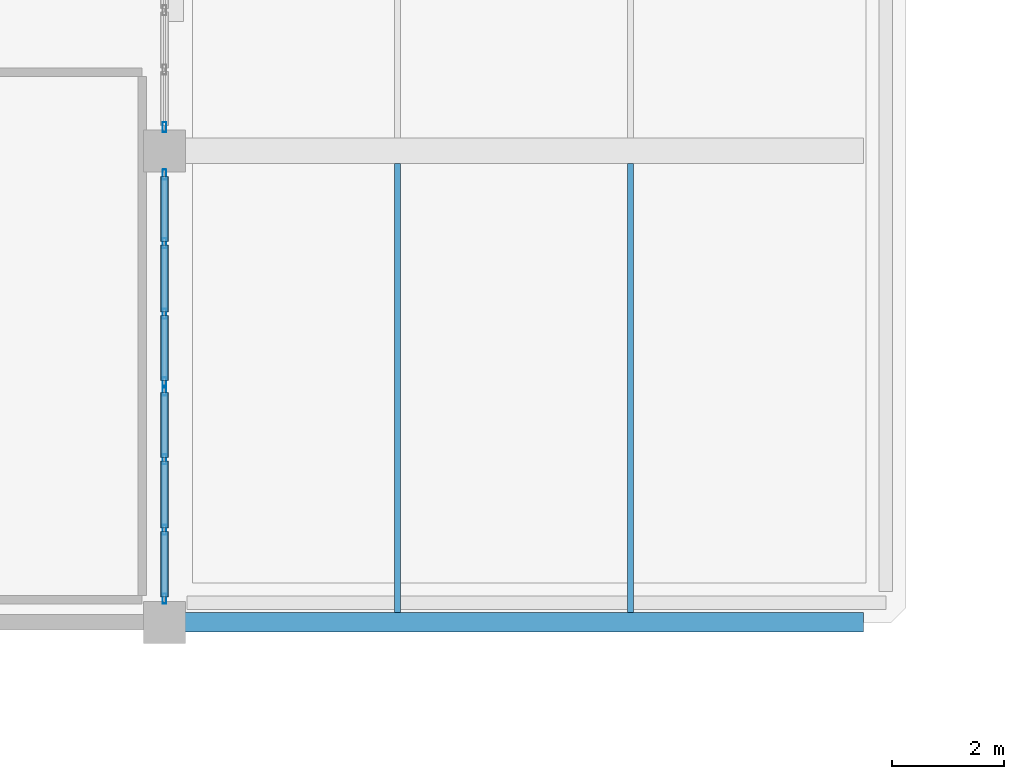
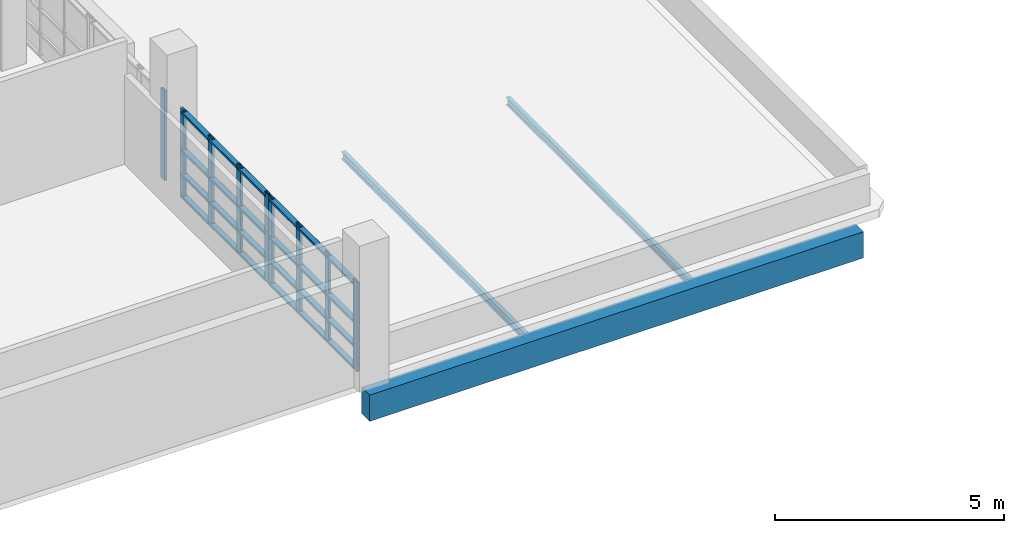
# One storey, part 122 of 188: 33 members, 3 beams, 3 elements without a shape of their own.
"""IFC4 building model written with IfcOpenShell, lengths in metres."""

from ifc_helpers import new_model, si_unit, direction, frame, origin, origin_2d, place, context, subcontext, project, spatial, rectangle, hollow_rectangle, i_section, extrude, material, layer, layer_set, material_profile, profile_set, type_object, element, aggregate, save


model = new_model("IFC4")

# Units and contexts
model_context = context("Model", 3, precision=1e-05, world=origin(), true_north=direction((0.0, 1.0)))
body_context = subcontext(model_context, "Body", "Model", "MODEL_VIEW")
ifc_project = project(units=[si_unit("LENGTHUNIT", "METRE"), si_unit("AREAUNIT", "SQUARE_METRE"), si_unit("VOLUMEUNIT", "CUBIC_METRE"), si_unit("PLANEANGLEUNIT", "RADIAN"), si_unit("MASSUNIT", "GRAM", prefix="KILO")], contexts=[model_context])

# Site, building, storey
site_placement = place(None, origin())
site = spatial("IfcSite", under=ifc_project, at=site_placement, CompositionType="ELEMENT")
building_placement = place(site_placement, origin())
building = spatial("IfcBuilding", under=site, at=building_placement, Name="Kisaragi Civic Commons", CompositionType="ELEMENT")
storey_placement = place(building_placement, frame((0.0, 0.0, 9.60009765625)))
storey = spatial("IfcBuildingStorey", under=building, at=storey_placement, Name="L02", CompositionType="ELEMENT", Elevation=9.60009765625)

# Curtain wall, member
ifc_material_1 = material(Name="Thermally broken anodized aluminium and low-E double glazing", Category="aluminium")
ifc_layer = layer(ifc_material_1, 0.179931640625, Name="Thermally broken anodized aluminium and low-E double glazing", Category="aluminium")
ifc_layer_set = layer_set([ifc_layer], Name="Thermally broken anodized aluminium and low-E double glazing")
curtain_wall_type = type_object("IfcCurtainWallType", Name="CW-01", PredefinedType="NOTDEFINED", material=ifc_layer_set)
curtain_wall_1_placement = place(storey_placement, origin())
curtain_wall_1 = element("IfcCurtainWall", 1, at=curtain_wall_1_placement, inside=storey, type_object=curtain_wall_type, Name="L02 curtain wall CW-01 CW-V4-L02-090", PredefinedType="NOTDEFINED")
ifc_material_profile_1 = material_profile(ifc_material_1, hollow_rectangle(XDim=0.06494140625, YDim=0.179931640625, WallThickness=0.00439453125, InnerFilletRadius=0.00439453125, OuterFilletRadius=0.009033203125, at=origin_2d()), Name="CWM-65x180x4.5", Category="aluminium")
ifc_profile_set_1 = profile_set([ifc_material_profile_1], Name="Thermally broken anodized aluminium and low-E double glazing")
member_type_1 = type_object("IfcMemberType", Name="CWM-02", PredefinedType="MULLION", material=ifc_profile_set_1)
member_1_placement = place(storey_placement, frame((146.39990234375, 104.822509765625, 0.0), z_axis=(0.0, 0.0, 1.0), x_axis=(1.0, 0.0, 0.0)))
member_1 = element("IfcMember", 2, at=member_1_placement, type_object=member_type_1, Name="CW-01 mullion 4", PredefinedType="MULLION", context=body_context, shape_type="SweptSolid", body=[
    extrude(hollow_rectangle(XDim=0.06494140625, YDim=0.179931640625, WallThickness=0.00439453125, InnerFilletRadius=0.00439453125, OuterFilletRadius=0.009033203125, at=origin_2d()), origin(), (0.0, 0.0, 1.0), 2.3798828125),
])
aggregate(curtain_wall_1, [member_1])

# Curtain wall, members
curtain_wall_2_placement = place(storey_placement, origin())
curtain_wall_2 = element("IfcCurtainWall", 3, at=curtain_wall_2_placement, inside=storey, type_object=curtain_wall_type, Name="L02 curtain wall CW-01 CW-V4-L02-091", PredefinedType="NOTDEFINED")
member_2_placement = place(storey_placement, frame((146.39990234375, 103.9775390625, 0.0), z_axis=(0.0, 0.0, 1.0), x_axis=(1.0, 0.0, 0.0)))
member_2 = element("IfcMember", 4, at=member_2_placement, type_object=member_type_1, Name="CW-01 mullion 1", PredefinedType="MULLION", context=body_context, shape_type="SweptSolid", body=[
    extrude(hollow_rectangle(XDim=0.06494140625, YDim=0.179931640625, WallThickness=0.00439453125, InnerFilletRadius=0.00439453125, OuterFilletRadius=0.009033203125, at=origin_2d()), origin(), (0.0, 0.0, 1.0), 2.3798828125),
])
member_3_placement = place(storey_placement, frame((146.39990234375, 102.75341796875, 0.0), z_axis=(0.0, 0.0, 1.0), x_axis=(1.0, 0.0, 0.0)))
member_3 = element("IfcMember", 5, at=member_3_placement, type_object=member_type_1, Name="CW-01 mullion 2", PredefinedType="MULLION", context=body_context, shape_type="SweptSolid", body=[
    extrude(hollow_rectangle(XDim=0.06494140625, YDim=0.179931640625, WallThickness=0.00439453125, InnerFilletRadius=0.00439453125, OuterFilletRadius=0.009033203125, at=origin_2d()), origin(), (0.0, 0.0, 1.0), 2.3798828125),
])
member_4_placement = place(storey_placement, frame((146.39990234375, 101.49658203125, 0.0), z_axis=(0.0, 0.0, 1.0), x_axis=(1.0, 0.0, 0.0)))
member_4 = element("IfcMember", 6, at=member_4_placement, type_object=member_type_1, Name="CW-01 mullion 3", PredefinedType="MULLION", context=body_context, shape_type="SweptSolid", body=[
    extrude(hollow_rectangle(XDim=0.06494140625, YDim=0.179931640625, WallThickness=0.00439453125, InnerFilletRadius=0.00439453125, OuterFilletRadius=0.009033203125, at=origin_2d()), origin(), (0.0, 0.0, 1.0), 2.3798828125),
])
member_5_placement = place(storey_placement, frame((146.39990234375, 100.2724609375, 0.0), z_axis=(0.0, 0.0, 1.0), x_axis=(1.0, 0.0, 0.0)))
member_5 = element("IfcMember", 7, at=member_5_placement, type_object=member_type_1, Name="CW-01 mullion 4", PredefinedType="MULLION", context=body_context, shape_type="SweptSolid", body=[
    extrude(hollow_rectangle(XDim=0.06494140625, YDim=0.179931640625, WallThickness=0.00439453125, InnerFilletRadius=0.00439453125, OuterFilletRadius=0.009033203125, at=origin_2d()), origin(), (0.0, 0.0, 1.0), 2.3798828125),
])

curtain_wall_3_placement = place(storey_placement, origin())
curtain_wall_3 = element("IfcCurtainWall", 8, at=curtain_wall_3_placement, inside=storey, type_object=curtain_wall_type, Name="L02 curtain wall CW-01 CW-V4-L02-092", PredefinedType="NOTDEFINED")
member_6_placement = place(storey_placement, frame((146.39990234375, 100.12744140625, 0.0), z_axis=(0.0, 0.0, 1.0), x_axis=(1.0, 0.0, 0.0)))
member_6 = element("IfcMember", 9, at=member_6_placement, type_object=member_type_1, Name="CW-01 mullion 1", PredefinedType="MULLION", context=body_context, shape_type="SweptSolid", body=[
    extrude(hollow_rectangle(XDim=0.06494140625, YDim=0.179931640625, WallThickness=0.00439453125, InnerFilletRadius=0.00439453125, OuterFilletRadius=0.009033203125, at=origin_2d()), origin(), (0.0, 0.0, 1.0), 2.3798828125),
])
member_7_placement = place(storey_placement, frame((146.39990234375, 98.9033203125, 0.0), z_axis=(0.0, 0.0, 1.0), x_axis=(1.0, 0.0, 0.0)))
member_7 = element("IfcMember", 10, at=member_7_placement, type_object=member_type_1, Name="CW-01 mullion 2", PredefinedType="MULLION", context=body_context, shape_type="SweptSolid", body=[
    extrude(hollow_rectangle(XDim=0.06494140625, YDim=0.179931640625, WallThickness=0.00439453125, InnerFilletRadius=0.00439453125, OuterFilletRadius=0.009033203125, at=origin_2d()), origin(), (0.0, 0.0, 1.0), 2.3798828125),
])
member_8_placement = place(storey_placement, frame((146.39990234375, 97.646728515625, 0.0), z_axis=(0.0, 0.0, 1.0), x_axis=(1.0, 0.0, 0.0)))
member_8 = element("IfcMember", 11, at=member_8_placement, type_object=member_type_1, Name="CW-01 mullion 3", PredefinedType="MULLION", context=body_context, shape_type="SweptSolid", body=[
    extrude(hollow_rectangle(XDim=0.06494140625, YDim=0.179931640625, WallThickness=0.00439453125, InnerFilletRadius=0.00439453125, OuterFilletRadius=0.009033203125, at=origin_2d()), origin(), (0.0, 0.0, 1.0), 2.3798828125),
])
member_9_placement = place(storey_placement, frame((146.39990234375, 96.422607421875, 0.0), z_axis=(0.0, 0.0, 1.0), x_axis=(1.0, 0.0, 0.0)))
member_9 = element("IfcMember", 12, at=member_9_placement, type_object=member_type_1, Name="CW-01 mullion 4", PredefinedType="MULLION", context=body_context, shape_type="SweptSolid", body=[
    extrude(hollow_rectangle(XDim=0.06494140625, YDim=0.179931640625, WallThickness=0.00439453125, InnerFilletRadius=0.00439453125, OuterFilletRadius=0.009033203125, at=origin_2d()), origin(), (0.0, 0.0, 1.0), 2.3798828125),
])

# Member
ifc_material_profile_2 = material_profile(ifc_material_1, hollow_rectangle(XDim=0.139892578125, YDim=0.06494140625, WallThickness=0.00439453125, InnerFilletRadius=0.00439453125, OuterFilletRadius=0.009033203125, at=origin_2d()), Name="CWT-65x140x4.5", Category="aluminium")
ifc_profile_set_2 = profile_set([ifc_material_profile_2], Name="Thermally broken anodized aluminium and low-E double glazing")
member_type_2 = type_object("IfcMemberType", Name="CWT-02", PredefinedType="USERDEFINED", material=ifc_profile_set_2)
member_10_placement = place(storey_placement, frame((146.39990234375, 103.945068359375, 0.06982421875), z_axis=(0.0, -1.0, 0.0), x_axis=(1.0, 0.0, 0.0)))
member_10 = element("IfcMember", 13, at=member_10_placement, type_object=member_type_2, Name="CW-01 transom 1.1", ObjectType="TRANSOM", PredefinedType="USERDEFINED", context=body_context, shape_type="SweptSolid", body=[
    extrude(hollow_rectangle(XDim=0.139892578125, YDim=0.06494140625, WallThickness=0.00439453125, InnerFilletRadius=0.00439453125, OuterFilletRadius=0.009033203125, at=origin_2d()), origin(), (0.0, 0.0, 1.0), 1.1591796875),
])

member_11_placement = place(storey_placement, frame((146.39990234375, 103.945068359375, 0.64990234375), z_axis=(0.0, -1.0, 0.0), x_axis=(1.0, 0.0, 0.0)))
member_11 = element("IfcMember", 14, at=member_11_placement, type_object=member_type_2, Name="CW-01 transom 1.2", ObjectType="TRANSOM", PredefinedType="USERDEFINED", context=body_context, shape_type="SweptSolid", body=[
    extrude(hollow_rectangle(XDim=0.139892578125, YDim=0.06494140625, WallThickness=0.00439453125, InnerFilletRadius=0.00439453125, OuterFilletRadius=0.009033203125, at=origin_2d()), origin(), (0.0, 0.0, 1.0), 1.1591796875),
])

member_12_placement = place(storey_placement, frame((146.39990234375, 103.945068359375, 1.2998046875), z_axis=(0.0, -1.0, 0.0), x_axis=(1.0, 0.0, 0.0)))
member_12 = element("IfcMember", 15, at=member_12_placement, type_object=member_type_2, Name="CW-01 transom 1.3", ObjectType="TRANSOM", PredefinedType="USERDEFINED", context=body_context, shape_type="SweptSolid", body=[
    extrude(hollow_rectangle(XDim=0.139892578125, YDim=0.06494140625, WallThickness=0.00439453125, InnerFilletRadius=0.00439453125, OuterFilletRadius=0.009033203125, at=origin_2d()), origin(), (0.0, 0.0, 1.0), 1.1591796875),
])

member_13_placement = place(storey_placement, frame((146.39990234375, 103.945068359375, 2.309814453125), z_axis=(0.0, -1.0, 0.0), x_axis=(1.0, 0.0, 0.0)))
member_13 = element("IfcMember", 16, at=member_13_placement, type_object=member_type_2, Name="CW-01 transom 1.4", ObjectType="TRANSOM", PredefinedType="USERDEFINED", context=body_context, shape_type="SweptSolid", body=[
    extrude(hollow_rectangle(XDim=0.139892578125, YDim=0.06494140625, WallThickness=0.00439453125, InnerFilletRadius=0.00439453125, OuterFilletRadius=0.009033203125, at=origin_2d()), origin(), (0.0, 0.0, 1.0), 1.1591796875),
])

member_14_placement = place(storey_placement, frame((146.39990234375, 102.720947265625, 0.06982421875), z_axis=(0.0, -1.0, 0.0), x_axis=(1.0, 0.0, 0.0)))
member_14 = element("IfcMember", 17, at=member_14_placement, type_object=member_type_2, Name="CW-01 transom 2.1", ObjectType="TRANSOM", PredefinedType="USERDEFINED", context=body_context, shape_type="SweptSolid", body=[
    extrude(hollow_rectangle(XDim=0.139892578125, YDim=0.06494140625, WallThickness=0.00439453125, InnerFilletRadius=0.00439453125, OuterFilletRadius=0.009033203125, at=origin_2d()), origin(), (0.0, 0.0, 1.0), 1.19189453125),
])

member_15_placement = place(storey_placement, frame((146.39990234375, 102.720947265625, 0.64990234375), z_axis=(0.0, -1.0, 0.0), x_axis=(1.0, 0.0, 0.0)))
member_15 = element("IfcMember", 18, at=member_15_placement, type_object=member_type_2, Name="CW-01 transom 2.2", ObjectType="TRANSOM", PredefinedType="USERDEFINED", context=body_context, shape_type="SweptSolid", body=[
    extrude(hollow_rectangle(XDim=0.139892578125, YDim=0.06494140625, WallThickness=0.00439453125, InnerFilletRadius=0.00439453125, OuterFilletRadius=0.009033203125, at=origin_2d()), origin(), (0.0, 0.0, 1.0), 1.19189453125),
])

member_16_placement = place(storey_placement, frame((146.39990234375, 102.720947265625, 1.2998046875), z_axis=(0.0, -1.0, 0.0), x_axis=(1.0, 0.0, 0.0)))
member_16 = element("IfcMember", 19, at=member_16_placement, type_object=member_type_2, Name="CW-01 transom 2.3", ObjectType="TRANSOM", PredefinedType="USERDEFINED", context=body_context, shape_type="SweptSolid", body=[
    extrude(hollow_rectangle(XDim=0.139892578125, YDim=0.06494140625, WallThickness=0.00439453125, InnerFilletRadius=0.00439453125, OuterFilletRadius=0.009033203125, at=origin_2d()), origin(), (0.0, 0.0, 1.0), 1.19189453125),
])

member_17_placement = place(storey_placement, frame((146.39990234375, 102.720947265625, 2.309814453125), z_axis=(0.0, -1.0, 0.0), x_axis=(1.0, 0.0, 0.0)))
member_17 = element("IfcMember", 20, at=member_17_placement, type_object=member_type_2, Name="CW-01 transom 2.4", ObjectType="TRANSOM", PredefinedType="USERDEFINED", context=body_context, shape_type="SweptSolid", body=[
    extrude(hollow_rectangle(XDim=0.139892578125, YDim=0.06494140625, WallThickness=0.00439453125, InnerFilletRadius=0.00439453125, OuterFilletRadius=0.009033203125, at=origin_2d()), origin(), (0.0, 0.0, 1.0), 1.19189453125),
])

member_18_placement = place(storey_placement, frame((146.39990234375, 101.464111328125, 0.06982421875), z_axis=(0.0, -1.0, 0.0), x_axis=(1.0, 0.0, 0.0)))
member_18 = element("IfcMember", 21, at=member_18_placement, type_object=member_type_2, Name="CW-01 transom 3.1", ObjectType="TRANSOM", PredefinedType="USERDEFINED", context=body_context, shape_type="SweptSolid", body=[
    extrude(hollow_rectangle(XDim=0.139892578125, YDim=0.06494140625, WallThickness=0.00439453125, InnerFilletRadius=0.00439453125, OuterFilletRadius=0.009033203125, at=origin_2d()), origin(), (0.0, 0.0, 1.0), 1.1591796875),
])

member_19_placement = place(storey_placement, frame((146.39990234375, 101.464111328125, 0.64990234375), z_axis=(0.0, -1.0, 0.0), x_axis=(1.0, 0.0, 0.0)))
member_19 = element("IfcMember", 22, at=member_19_placement, type_object=member_type_2, Name="CW-01 transom 3.2", ObjectType="TRANSOM", PredefinedType="USERDEFINED", context=body_context, shape_type="SweptSolid", body=[
    extrude(hollow_rectangle(XDim=0.139892578125, YDim=0.06494140625, WallThickness=0.00439453125, InnerFilletRadius=0.00439453125, OuterFilletRadius=0.009033203125, at=origin_2d()), origin(), (0.0, 0.0, 1.0), 1.1591796875),
])

member_20_placement = place(storey_placement, frame((146.39990234375, 101.464111328125, 1.2998046875), z_axis=(0.0, -1.0, 0.0), x_axis=(1.0, 0.0, 0.0)))
member_20 = element("IfcMember", 23, at=member_20_placement, type_object=member_type_2, Name="CW-01 transom 3.3", ObjectType="TRANSOM", PredefinedType="USERDEFINED", context=body_context, shape_type="SweptSolid", body=[
    extrude(hollow_rectangle(XDim=0.139892578125, YDim=0.06494140625, WallThickness=0.00439453125, InnerFilletRadius=0.00439453125, OuterFilletRadius=0.009033203125, at=origin_2d()), origin(), (0.0, 0.0, 1.0), 1.1591796875),
])

member_21_placement = place(storey_placement, frame((146.39990234375, 101.464111328125, 2.309814453125), z_axis=(0.0, -1.0, 0.0), x_axis=(1.0, 0.0, 0.0)))
member_21 = element("IfcMember", 24, at=member_21_placement, type_object=member_type_2, Name="CW-01 transom 3.4", ObjectType="TRANSOM", PredefinedType="USERDEFINED", context=body_context, shape_type="SweptSolid", body=[
    extrude(hollow_rectangle(XDim=0.139892578125, YDim=0.06494140625, WallThickness=0.00439453125, InnerFilletRadius=0.00439453125, OuterFilletRadius=0.009033203125, at=origin_2d()), origin(), (0.0, 0.0, 1.0), 1.1591796875),
])

aggregate(curtain_wall_2, [member_2, member_3, member_4, member_5, member_10, member_11, member_12, member_13, member_14, member_15, member_16, member_17, member_18, member_19, member_20, member_21])

member_22_placement = place(storey_placement, frame((146.39990234375, 100.094970703125, 0.06982421875), z_axis=(0.0, -1.0, 0.0), x_axis=(1.0, 0.0, 0.0)))
member_22 = element("IfcMember", 25, at=member_22_placement, type_object=member_type_2, Name="CW-01 transom 1.1", ObjectType="TRANSOM", PredefinedType="USERDEFINED", context=body_context, shape_type="SweptSolid", body=[
    extrude(hollow_rectangle(XDim=0.139892578125, YDim=0.06494140625, WallThickness=0.00439453125, InnerFilletRadius=0.00439453125, OuterFilletRadius=0.009033203125, at=origin_2d()), origin(), (0.0, 0.0, 1.0), 1.1591796875),
])

member_23_placement = place(storey_placement, frame((146.39990234375, 100.094970703125, 0.64990234375), z_axis=(0.0, -1.0, 0.0), x_axis=(1.0, 0.0, 0.0)))
member_23 = element("IfcMember", 26, at=member_23_placement, type_object=member_type_2, Name="CW-01 transom 1.2", ObjectType="TRANSOM", PredefinedType="USERDEFINED", context=body_context, shape_type="SweptSolid", body=[
    extrude(hollow_rectangle(XDim=0.139892578125, YDim=0.06494140625, WallThickness=0.00439453125, InnerFilletRadius=0.00439453125, OuterFilletRadius=0.009033203125, at=origin_2d()), origin(), (0.0, 0.0, 1.0), 1.1591796875),
])

member_24_placement = place(storey_placement, frame((146.39990234375, 100.094970703125, 1.2998046875), z_axis=(0.0, -1.0, 0.0), x_axis=(1.0, 0.0, 0.0)))
member_24 = element("IfcMember", 27, at=member_24_placement, type_object=member_type_2, Name="CW-01 transom 1.3", ObjectType="TRANSOM", PredefinedType="USERDEFINED", context=body_context, shape_type="SweptSolid", body=[
    extrude(hollow_rectangle(XDim=0.139892578125, YDim=0.06494140625, WallThickness=0.00439453125, InnerFilletRadius=0.00439453125, OuterFilletRadius=0.009033203125, at=origin_2d()), origin(), (0.0, 0.0, 1.0), 1.1591796875),
])

member_25_placement = place(storey_placement, frame((146.39990234375, 100.094970703125, 2.309814453125), z_axis=(0.0, -1.0, 0.0), x_axis=(1.0, 0.0, 0.0)))
member_25 = element("IfcMember", 28, at=member_25_placement, type_object=member_type_2, Name="CW-01 transom 1.4", ObjectType="TRANSOM", PredefinedType="USERDEFINED", context=body_context, shape_type="SweptSolid", body=[
    extrude(hollow_rectangle(XDim=0.139892578125, YDim=0.06494140625, WallThickness=0.00439453125, InnerFilletRadius=0.00439453125, OuterFilletRadius=0.009033203125, at=origin_2d()), origin(), (0.0, 0.0, 1.0), 1.1591796875),
])

member_26_placement = place(storey_placement, frame((146.39990234375, 98.870849609375, 0.06982421875), z_axis=(0.0, -1.0, 0.0), x_axis=(1.0, 0.0, 0.0)))
member_26 = element("IfcMember", 29, at=member_26_placement, type_object=member_type_2, Name="CW-01 transom 2.1", ObjectType="TRANSOM", PredefinedType="USERDEFINED", context=body_context, shape_type="SweptSolid", body=[
    extrude(hollow_rectangle(XDim=0.139892578125, YDim=0.06494140625, WallThickness=0.00439453125, InnerFilletRadius=0.00439453125, OuterFilletRadius=0.009033203125, at=origin_2d()), origin(), (0.0, 0.0, 1.0), 1.191650390625),
])

member_27_placement = place(storey_placement, frame((146.39990234375, 98.870849609375, 0.64990234375), z_axis=(0.0, -1.0, 0.0), x_axis=(1.0, 0.0, 0.0)))
member_27 = element("IfcMember", 30, at=member_27_placement, type_object=member_type_2, Name="CW-01 transom 2.2", ObjectType="TRANSOM", PredefinedType="USERDEFINED", context=body_context, shape_type="SweptSolid", body=[
    extrude(hollow_rectangle(XDim=0.139892578125, YDim=0.06494140625, WallThickness=0.00439453125, InnerFilletRadius=0.00439453125, OuterFilletRadius=0.009033203125, at=origin_2d()), origin(), (0.0, 0.0, 1.0), 1.191650390625),
])

member_28_placement = place(storey_placement, frame((146.39990234375, 98.870849609375, 1.2998046875), z_axis=(0.0, -1.0, 0.0), x_axis=(1.0, 0.0, 0.0)))
member_28 = element("IfcMember", 31, at=member_28_placement, type_object=member_type_2, Name="CW-01 transom 2.3", ObjectType="TRANSOM", PredefinedType="USERDEFINED", context=body_context, shape_type="SweptSolid", body=[
    extrude(hollow_rectangle(XDim=0.139892578125, YDim=0.06494140625, WallThickness=0.00439453125, InnerFilletRadius=0.00439453125, OuterFilletRadius=0.009033203125, at=origin_2d()), origin(), (0.0, 0.0, 1.0), 1.191650390625),
])

member_29_placement = place(storey_placement, frame((146.39990234375, 98.870849609375, 2.309814453125), z_axis=(0.0, -1.0, 0.0), x_axis=(1.0, 0.0, 0.0)))
member_29 = element("IfcMember", 32, at=member_29_placement, type_object=member_type_2, Name="CW-01 transom 2.4", ObjectType="TRANSOM", PredefinedType="USERDEFINED", context=body_context, shape_type="SweptSolid", body=[
    extrude(hollow_rectangle(XDim=0.139892578125, YDim=0.06494140625, WallThickness=0.00439453125, InnerFilletRadius=0.00439453125, OuterFilletRadius=0.009033203125, at=origin_2d()), origin(), (0.0, 0.0, 1.0), 1.191650390625),
])

member_30_placement = place(storey_placement, frame((146.39990234375, 97.6142578125, 0.06982421875), z_axis=(0.0, -1.0, 0.0), x_axis=(1.0, 0.0, 0.0)))
member_30 = element("IfcMember", 33, at=member_30_placement, type_object=member_type_2, Name="CW-01 transom 3.1", ObjectType="TRANSOM", PredefinedType="USERDEFINED", context=body_context, shape_type="SweptSolid", body=[
    extrude(hollow_rectangle(XDim=0.139892578125, YDim=0.06494140625, WallThickness=0.00439453125, InnerFilletRadius=0.00439453125, OuterFilletRadius=0.009033203125, at=origin_2d()), origin(), (0.0, 0.0, 1.0), 1.1591796875),
])

member_31_placement = place(storey_placement, frame((146.39990234375, 97.6142578125, 0.64990234375), z_axis=(0.0, -1.0, 0.0), x_axis=(1.0, 0.0, 0.0)))
member_31 = element("IfcMember", 34, at=member_31_placement, type_object=member_type_2, Name="CW-01 transom 3.2", ObjectType="TRANSOM", PredefinedType="USERDEFINED", context=body_context, shape_type="SweptSolid", body=[
    extrude(hollow_rectangle(XDim=0.139892578125, YDim=0.06494140625, WallThickness=0.00439453125, InnerFilletRadius=0.00439453125, OuterFilletRadius=0.009033203125, at=origin_2d()), origin(), (0.0, 0.0, 1.0), 1.1591796875),
])

member_32_placement = place(storey_placement, frame((146.39990234375, 97.6142578125, 1.2998046875), z_axis=(0.0, -1.0, 0.0), x_axis=(1.0, 0.0, 0.0)))
member_32 = element("IfcMember", 35, at=member_32_placement, type_object=member_type_2, Name="CW-01 transom 3.3", ObjectType="TRANSOM", PredefinedType="USERDEFINED", context=body_context, shape_type="SweptSolid", body=[
    extrude(hollow_rectangle(XDim=0.139892578125, YDim=0.06494140625, WallThickness=0.00439453125, InnerFilletRadius=0.00439453125, OuterFilletRadius=0.009033203125, at=origin_2d()), origin(), (0.0, 0.0, 1.0), 1.1591796875),
])

member_33_placement = place(storey_placement, frame((146.39990234375, 97.6142578125, 2.309814453125), z_axis=(0.0, -1.0, 0.0), x_axis=(1.0, 0.0, 0.0)))
member_33 = element("IfcMember", 36, at=member_33_placement, type_object=member_type_2, Name="CW-01 transom 3.4", ObjectType="TRANSOM", PredefinedType="USERDEFINED", context=body_context, shape_type="SweptSolid", body=[
    extrude(hollow_rectangle(XDim=0.139892578125, YDim=0.06494140625, WallThickness=0.00439453125, InnerFilletRadius=0.00439453125, OuterFilletRadius=0.009033203125, at=origin_2d()), origin(), (0.0, 0.0, 1.0), 1.1591796875),
])

aggregate(curtain_wall_3, [member_6, member_7, member_8, member_9, member_22, member_23, member_24, member_25, member_26, member_27, member_28, member_29, member_30, member_31, member_32, member_33])

# Beams
ifc_material_2 = material(Name="Steel SN400 (SN400B)", Category="steel")
ifc_material_profile_3 = material_profile(ifc_material_2, i_section(OverallWidth=0.10009765625, OverallDepth=0.199951171875, WebThickness=0.005615234375, FlangeThickness=0.008056640625, FilletRadius=0.008056640625, at=origin_2d()), Name="H-200x100x5.5x8", Category="steel")
ifc_profile_set_3 = profile_set([ifc_material_profile_3], Name="Steel SN400 (SN400B)")
beam_type_1 = type_object("IfcBeamType", Name="J-06", PredefinedType="JOIST", material=ifc_profile_set_3)
for number, where, z_axis, x_axis, name in (
    (37, (150.550048828125, 96.175048828125, -0.420166015625), (0.0, 1.0, 0.0), (-1.0, 0.0, 0.0), "L02 secondary steel joist J-06 65"),
    (38, (154.699951171875, 96.175048828125, -0.420166015625), (0.0, 1.0, 0.0), (-1.0, 0.0, 0.0), "L02 secondary steel joist J-06 66"),
):
    element("IfcBeam", number, at=place(storey_placement, frame(where, z_axis=z_axis, x_axis=x_axis)), inside=storey, type_object=beam_type_1, Name=name, PredefinedType="JOIST", context=body_context, shape_type="SweptSolid", body=[
        extrude(i_section(OverallWidth=0.10009765625, OverallDepth=0.199951171875, WebThickness=0.005615234375, FlangeThickness=0.008056640625, FilletRadius=0.008056640625, at=origin_2d()), origin(), (0.0, 0.0, 1.0), 8.0),
    ])
ifc_material_3 = material(Name="Precast concrete Fc36", Category="concrete")
ifc_material_profile_4 = material_profile(ifc_material_3, rectangle(XDim=0.35009765625, YDim=0.699951171875, at=origin_2d()), Name="PC-350x700", Category="concrete")
ifc_profile_set_4 = profile_set([ifc_material_profile_4], Name="Precast concrete Fc36")
beam_type_2 = type_object("IfcBeamType", Name="SPB-03", PredefinedType="SPANDREL", material=ifc_profile_set_4)
beam_placement = place(storey_placement, frame((146.39990234375, 96.0, -0.670166015625), z_axis=(1.0, 0.0, 0.0), x_axis=(0.0, 1.0, 0.0)))
element("IfcBeam", 39, at=beam_placement, inside=storey, type_object=beam_type_2, Name="L02 girder SPB-03 299", PredefinedType="SPANDREL", context=body_context, shape_type="SweptSolid", body=[
    extrude(rectangle(XDim=0.35009765625, YDim=0.699951171875, at=origin_2d()), origin(), (0.0, 0.0, 1.0), 12.4501953125),
])

save(model, "model.ifc")
